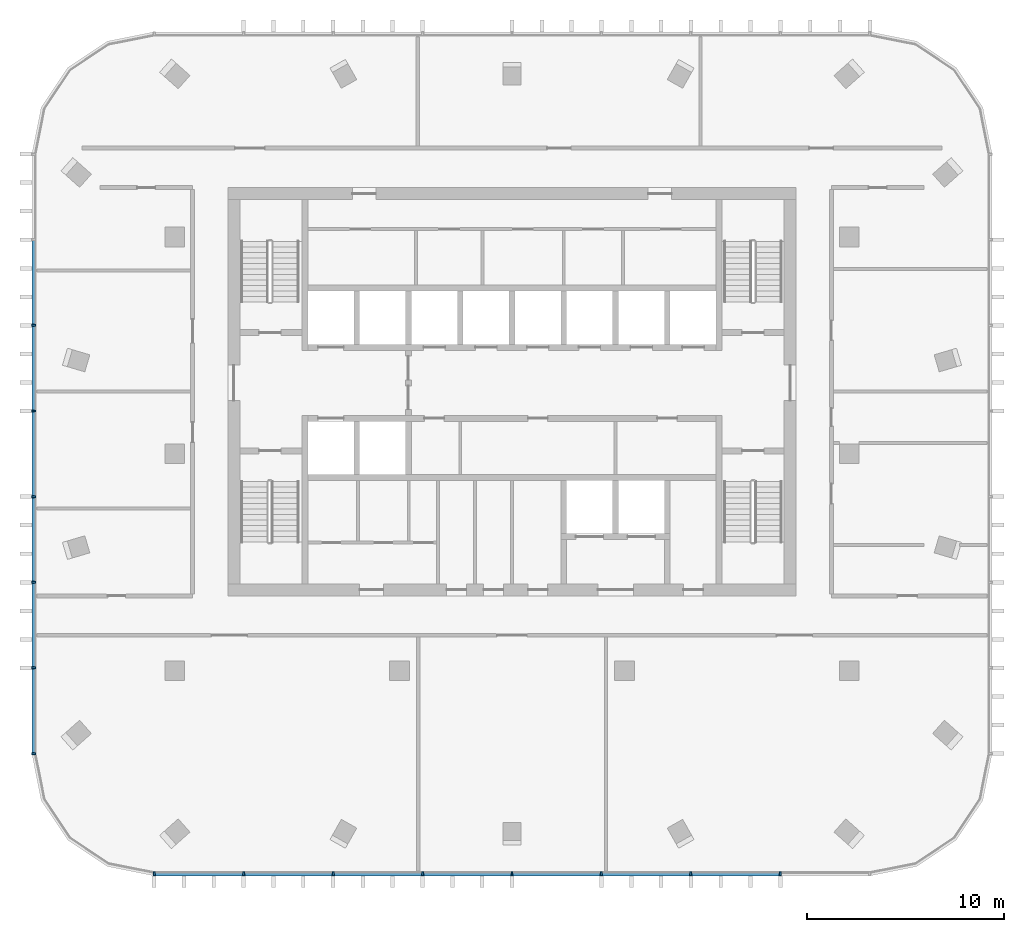
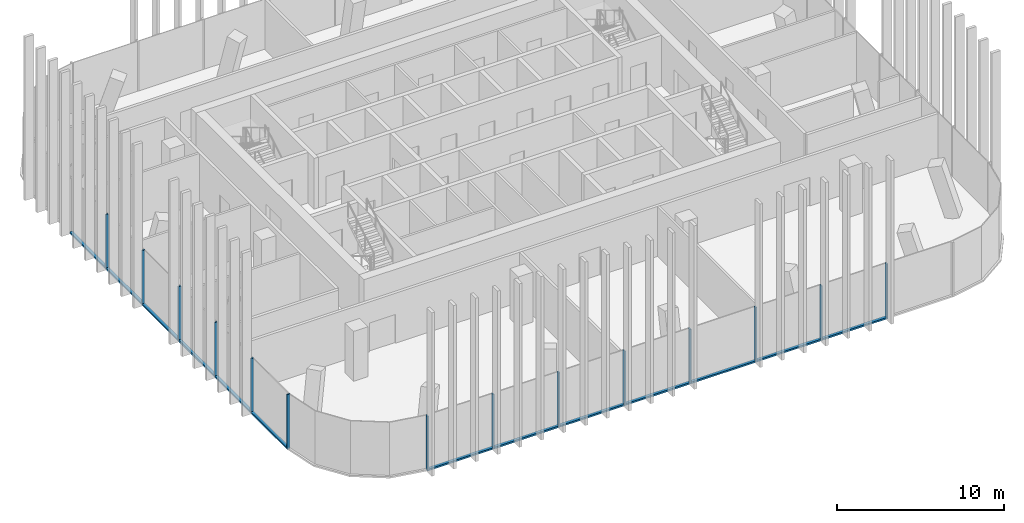
# One storey, part 2 of 13: 27 members, 2 elements without a shape of their own.
"""IFC4 building model written with IfcOpenShell, lengths in metres."""

from ifc_helpers import new_model, si_unit, direction, frame, origin, origin_2d, place, context, subcontext, project, spatial, rectangle, extrude, material, material_profile, profile_set, type_object, element, aggregate, save


model = new_model("IFC4")

# Units and contexts
model_context = context("Model", 3, precision=1e-05, world=origin(), true_north=direction((0.0, 1.0)))
body_context = subcontext(model_context, "Body", "Model", "MODEL_VIEW")
ifc_project = project(units=[si_unit("LENGTHUNIT", "METRE"), si_unit("AREAUNIT", "SQUARE_METRE"), si_unit("VOLUMEUNIT", "CUBIC_METRE"), si_unit("PLANEANGLEUNIT", "RADIAN"), si_unit("MASSUNIT", "GRAM", prefix="KILO")], contexts=[model_context])

# Site, building, storey
site_placement = place(None, origin())
site = spatial("IfcSite", under=ifc_project, at=site_placement, CompositionType="ELEMENT")
building_placement = place(site_placement, origin())
building = spatial("IfcBuilding", under=site, at=building_placement, Name="Mopane Tessera Tower", CompositionType="ELEMENT")
storey_placement = place(building_placement, frame((0.0, 0.0, 345.39990234375)))
storey = spatial("IfcBuildingStorey", under=building, at=storey_placement, Name="L75", CompositionType="ELEMENT", Elevation=345.39990234375)

# Curtain wall, members
ifc_material_1 = material(Name="Aluminium frame", Category="aluminium")
curtain_wall_type = type_object("IfcCurtainWallType", Name="Unitised curtain wall", PredefinedType="NOTDEFINED", material=ifc_material_1)
curtain_wall_1_placement = place(storey_placement, origin())
curtain_wall_1 = element("IfcCurtainWall", 1, at=curtain_wall_1_placement, inside=storey, type_object=curtain_wall_type, Name="e:cw:L75:S:0", PredefinedType="NOTDEFINED")
ifc_material_2 = material(Name="Aluminium frame", Category="aluminium")
ifc_material_profile_1 = material_profile(ifc_material_2, rectangle(XDim=0.10009765625, YDim=0.199951171875, at=origin_2d()))
ifc_profile_set_1 = profile_set([ifc_material_profile_1], Name="Aluminium frame")
member_type_1 = type_object("IfcMemberType", Name="Aluminium mullion 100 x 200", PredefinedType="MULLION", material=ifc_profile_set_1)
member_1_placement = place(storey_placement, frame((-18.14990234375, -21.300048828125, -0.349853515625), z_axis=(0.0, 0.0, 1.0), x_axis=(1.0, 0.0, 0.0)))
member_1 = element("IfcMember", 2, at=member_1_placement, type_object=member_type_1, Name="e:cw:L75:S:0:mu0", PredefinedType="MULLION", context=body_context, shape_type="SweptSolid", body=[
    extrude(rectangle(XDim=0.10009765625, YDim=0.199951171875, at=origin_2d()), origin(), (0.0, 0.0, 1.0), 4.0),
])
member_2_placement = place(storey_placement, frame((-13.612548828125, -21.300048828125, -0.349853515625), z_axis=(0.0, 0.0, 1.0), x_axis=(1.0, 0.0, 0.0)))
member_2 = element("IfcMember", 3, at=member_2_placement, type_object=member_type_1, Name="e:cw:L75:S:0:mu1", PredefinedType="MULLION", context=body_context, shape_type="SweptSolid", body=[
    extrude(rectangle(XDim=0.10009765625, YDim=0.199951171875, at=origin_2d()), origin(), (0.0, 0.0, 1.0), 4.0),
])
member_3_placement = place(storey_placement, frame((-9.074951171875, -21.300048828125, -0.349853515625), z_axis=(0.0, 0.0, 1.0), x_axis=(1.0, 0.0, 0.0)))
member_3 = element("IfcMember", 4, at=member_3_placement, type_object=member_type_1, Name="e:cw:L75:S:0:mu2", PredefinedType="MULLION", context=body_context, shape_type="SweptSolid", body=[
    extrude(rectangle(XDim=0.10009765625, YDim=0.199951171875, at=origin_2d()), origin(), (0.0, 0.0, 1.0), 4.0),
])
member_4_placement = place(storey_placement, frame((-4.53759765625, -21.300048828125, -0.349853515625), z_axis=(0.0, 0.0, 1.0), x_axis=(1.0, 0.0, 0.0)))
member_4 = element("IfcMember", 5, at=member_4_placement, type_object=member_type_1, Name="e:cw:L75:S:0:mu3", PredefinedType="MULLION", context=body_context, shape_type="SweptSolid", body=[
    extrude(rectangle(XDim=0.10009765625, YDim=0.199951171875, at=origin_2d()), origin(), (0.0, 0.0, 1.0), 4.0),
])
member_5_placement = place(storey_placement, frame((0.0, -21.300048828125, -0.349853515625), z_axis=(0.0, 0.0, 1.0), x_axis=(1.0, 0.0, 0.0)))
member_5 = element("IfcMember", 6, at=member_5_placement, type_object=member_type_1, Name="e:cw:L75:S:0:mu4", PredefinedType="MULLION", context=body_context, shape_type="SweptSolid", body=[
    extrude(rectangle(XDim=0.10009765625, YDim=0.199951171875, at=origin_2d()), origin(), (0.0, 0.0, 1.0), 4.0),
])
member_6_placement = place(storey_placement, frame((4.53759765625, -21.300048828125, -0.349853515625), z_axis=(0.0, 0.0, 1.0), x_axis=(1.0, 0.0, 0.0)))
member_6 = element("IfcMember", 7, at=member_6_placement, type_object=member_type_1, Name="e:cw:L75:S:0:mu5", PredefinedType="MULLION", context=body_context, shape_type="SweptSolid", body=[
    extrude(rectangle(XDim=0.10009765625, YDim=0.199951171875, at=origin_2d()), origin(), (0.0, 0.0, 1.0), 4.0),
])
member_7_placement = place(storey_placement, frame((9.074951171875, -21.300048828125, -0.349853515625), z_axis=(0.0, 0.0, 1.0), x_axis=(1.0, 0.0, 0.0)))
member_7 = element("IfcMember", 8, at=member_7_placement, type_object=member_type_1, Name="e:cw:L75:S:0:mu6", PredefinedType="MULLION", context=body_context, shape_type="SweptSolid", body=[
    extrude(rectangle(XDim=0.10009765625, YDim=0.199951171875, at=origin_2d()), origin(), (0.0, 0.0, 1.0), 4.0),
])
member_8_placement = place(storey_placement, frame((13.612548828125, -21.300048828125, -0.349853515625), z_axis=(0.0, 0.0, 1.0), x_axis=(1.0, 0.0, 0.0)))
member_8 = element("IfcMember", 9, at=member_8_placement, type_object=member_type_1, Name="e:cw:L75:S:0:mu7", PredefinedType="MULLION", context=body_context, shape_type="SweptSolid", body=[
    extrude(rectangle(XDim=0.10009765625, YDim=0.199951171875, at=origin_2d()), origin(), (0.0, 0.0, 1.0), 4.0),
])

curtain_wall_2_placement = place(storey_placement, origin())
curtain_wall_2 = element("IfcCurtainWall", 10, at=curtain_wall_2_placement, inside=storey, type_object=curtain_wall_type, Name="e:cw:L75:W:0", PredefinedType="NOTDEFINED")
member_9_placement = place(storey_placement, frame((-24.25, 6.514404296875, -0.349853515625), z_axis=(0.0, 0.0, 1.0), x_axis=(0.0, -1.0, 0.0)))
member_9 = element("IfcMember", 11, at=member_9_placement, type_object=member_type_1, Name="e:cw:L75:W:0:mu2", PredefinedType="MULLION", context=body_context, shape_type="SweptSolid", body=[
    extrude(rectangle(XDim=0.10009765625, YDim=0.199951171875, at=origin_2d()), origin(), (0.0, 0.0, 1.0), 4.0),
])
member_10_placement = place(storey_placement, frame((-24.25, 2.17138671875, -0.349853515625), z_axis=(0.0, 0.0, 1.0), x_axis=(0.0, -1.0, 0.0)))
member_10 = element("IfcMember", 12, at=member_10_placement, type_object=member_type_1, Name="e:cw:L75:W:0:mu3", PredefinedType="MULLION", context=body_context, shape_type="SweptSolid", body=[
    extrude(rectangle(XDim=0.10009765625, YDim=0.199951171875, at=origin_2d()), origin(), (0.0, 0.0, 1.0), 4.0),
])
member_11_placement = place(storey_placement, frame((-24.25, -2.17138671875, -0.349853515625), z_axis=(0.0, 0.0, 1.0), x_axis=(0.0, -1.0, 0.0)))
member_11 = element("IfcMember", 13, at=member_11_placement, type_object=member_type_1, Name="e:cw:L75:W:0:mu4", PredefinedType="MULLION", context=body_context, shape_type="SweptSolid", body=[
    extrude(rectangle(XDim=0.10009765625, YDim=0.199951171875, at=origin_2d()), origin(), (0.0, 0.0, 1.0), 4.0),
])
member_12_placement = place(storey_placement, frame((-24.25, -6.514404296875, -0.349853515625), z_axis=(0.0, 0.0, 1.0), x_axis=(0.0, -1.0, 0.0)))
member_12 = element("IfcMember", 14, at=member_12_placement, type_object=member_type_1, Name="e:cw:L75:W:0:mu5", PredefinedType="MULLION", context=body_context, shape_type="SweptSolid", body=[
    extrude(rectangle(XDim=0.10009765625, YDim=0.199951171875, at=origin_2d()), origin(), (0.0, 0.0, 1.0), 4.0),
])
member_13_placement = place(storey_placement, frame((-24.25, -10.857177734375, -0.349853515625), z_axis=(0.0, 0.0, 1.0), x_axis=(0.0, -1.0, 0.0)))
member_13 = element("IfcMember", 15, at=member_13_placement, type_object=member_type_1, Name="e:cw:L75:W:0:mu6", PredefinedType="MULLION", context=body_context, shape_type="SweptSolid", body=[
    extrude(rectangle(XDim=0.10009765625, YDim=0.199951171875, at=origin_2d()), origin(), (0.0, 0.0, 1.0), 4.0),
])
member_14_placement = place(storey_placement, frame((-24.25, -15.199951171875, -0.349853515625), z_axis=(0.0, 0.0, 1.0), x_axis=(0.0, -1.0, 0.0)))
member_14 = element("IfcMember", 16, at=member_14_placement, type_object=member_type_1, Name="e:cw:L75:W:0:mu7", PredefinedType="MULLION", context=body_context, shape_type="SweptSolid", body=[
    extrude(rectangle(XDim=0.10009765625, YDim=0.199951171875, at=origin_2d()), origin(), (0.0, 0.0, 1.0), 4.0),
])

# Member
ifc_material_3 = material(Name="Aluminium frame", Category="aluminium")
ifc_material_profile_2 = material_profile(ifc_material_3, rectangle(XDim=0.199951171875, YDim=0.1201171875, at=origin_2d()))
ifc_profile_set_2 = profile_set([ifc_material_profile_2], Name="Aluminium frame")
member_type_2 = type_object("IfcMemberType", Name="Aluminium transom 200 x 120", PredefinedType="USERDEFINED", material=ifc_profile_set_2)
member_15_placement = place(storey_placement, frame((-18.10009765625, -21.300048828125, -0.289794921875), z_axis=(1.0, 0.0, 0.0), x_axis=(0.0, 1.0, 0.0)))
member_15 = element("IfcMember", 17, at=member_15_placement, type_object=member_type_2, Name="e:cw:L75:S:0:tr0", ObjectType="TRANSOM", PredefinedType="USERDEFINED", context=body_context, shape_type="SweptSolid", body=[
    extrude(rectangle(XDim=0.199951171875, YDim=0.1201171875, at=origin_2d()), origin(), (0.0, 0.0, 1.0), 4.4375),
])

member_16_placement = place(storey_placement, frame((-13.5625, -21.300048828125, -0.289794921875), z_axis=(1.0, 0.0, 0.0), x_axis=(0.0, 1.0, 0.0)))
member_16 = element("IfcMember", 18, at=member_16_placement, type_object=member_type_2, Name="e:cw:L75:S:0:tr1", ObjectType="TRANSOM", PredefinedType="USERDEFINED", context=body_context, shape_type="SweptSolid", body=[
    extrude(rectangle(XDim=0.199951171875, YDim=0.1201171875, at=origin_2d()), origin(), (0.0, 0.0, 1.0), 4.4375),
])

member_17_placement = place(storey_placement, frame((-9.02490234375, -21.300048828125, -0.289794921875), z_axis=(1.0, 0.0, 0.0), x_axis=(0.0, 1.0, 0.0)))
member_17 = element("IfcMember", 19, at=member_17_placement, type_object=member_type_2, Name="e:cw:L75:S:0:tr2", ObjectType="TRANSOM", PredefinedType="USERDEFINED", context=body_context, shape_type="SweptSolid", body=[
    extrude(rectangle(XDim=0.199951171875, YDim=0.1201171875, at=origin_2d()), origin(), (0.0, 0.0, 1.0), 4.4375),
])

member_18_placement = place(storey_placement, frame((-4.487548828125, -21.300048828125, -0.289794921875), z_axis=(1.0, 0.0, 0.0), x_axis=(0.0, 1.0, 0.0)))
member_18 = element("IfcMember", 20, at=member_18_placement, type_object=member_type_2, Name="e:cw:L75:S:0:tr3", ObjectType="TRANSOM", PredefinedType="USERDEFINED", context=body_context, shape_type="SweptSolid", body=[
    extrude(rectangle(XDim=0.199951171875, YDim=0.1201171875, at=origin_2d()), origin(), (0.0, 0.0, 1.0), 4.4375),
])

member_19_placement = place(storey_placement, frame((0.050048828125, -21.300048828125, -0.289794921875), z_axis=(1.0, 0.0, 0.0), x_axis=(0.0, 1.0, 0.0)))
member_19 = element("IfcMember", 21, at=member_19_placement, type_object=member_type_2, Name="e:cw:L75:S:0:tr4", ObjectType="TRANSOM", PredefinedType="USERDEFINED", context=body_context, shape_type="SweptSolid", body=[
    extrude(rectangle(XDim=0.199951171875, YDim=0.1201171875, at=origin_2d()), origin(), (0.0, 0.0, 1.0), 4.4375),
])

member_20_placement = place(storey_placement, frame((4.58740234375, -21.300048828125, -0.289794921875), z_axis=(1.0, 0.0, 0.0), x_axis=(0.0, 1.0, 0.0)))
member_20 = element("IfcMember", 22, at=member_20_placement, type_object=member_type_2, Name="e:cw:L75:S:0:tr5", ObjectType="TRANSOM", PredefinedType="USERDEFINED", context=body_context, shape_type="SweptSolid", body=[
    extrude(rectangle(XDim=0.199951171875, YDim=0.1201171875, at=origin_2d()), origin(), (0.0, 0.0, 1.0), 4.4375),
])

member_21_placement = place(storey_placement, frame((9.125, -21.300048828125, -0.289794921875), z_axis=(1.0, 0.0, 0.0), x_axis=(0.0, 1.0, 0.0)))
member_21 = element("IfcMember", 23, at=member_21_placement, type_object=member_type_2, Name="e:cw:L75:S:0:tr6", ObjectType="TRANSOM", PredefinedType="USERDEFINED", context=body_context, shape_type="SweptSolid", body=[
    extrude(rectangle(XDim=0.199951171875, YDim=0.1201171875, at=origin_2d()), origin(), (0.0, 0.0, 1.0), 4.4375),
])

aggregate(curtain_wall_1, [member_1, member_2, member_3, member_4, member_5, member_6, member_7, member_8, member_15, member_16, member_17, member_18, member_19, member_20, member_21])

member_22_placement = place(storey_placement, frame((-24.25, 10.80712890625, -0.289794921875), z_axis=(0.0, -1.0, 0.0), x_axis=(1.0, 0.0, 0.0)))
member_22 = element("IfcMember", 24, at=member_22_placement, type_object=member_type_2, Name="e:cw:L75:W:0:tr1", ObjectType="TRANSOM", PredefinedType="USERDEFINED", context=body_context, shape_type="SweptSolid", body=[
    extrude(rectangle(XDim=0.199951171875, YDim=0.1201171875, at=origin_2d()), origin(), (0.0, 0.0, 1.0), 4.242919921875),
])

member_23_placement = place(storey_placement, frame((-24.25, 6.46435546875, -0.289794921875), z_axis=(0.0, -1.0, 0.0), x_axis=(1.0, 0.0, 0.0)))
member_23 = element("IfcMember", 25, at=member_23_placement, type_object=member_type_2, Name="e:cw:L75:W:0:tr2", ObjectType="TRANSOM", PredefinedType="USERDEFINED", context=body_context, shape_type="SweptSolid", body=[
    extrude(rectangle(XDim=0.199951171875, YDim=0.1201171875, at=origin_2d()), origin(), (0.0, 0.0, 1.0), 4.242919921875),
])

member_24_placement = place(storey_placement, frame((-24.25, 2.121337890625, -0.289794921875), z_axis=(0.0, -1.0, 0.0), x_axis=(1.0, 0.0, 0.0)))
member_24 = element("IfcMember", 26, at=member_24_placement, type_object=member_type_2, Name="e:cw:L75:W:0:tr3", ObjectType="TRANSOM", PredefinedType="USERDEFINED", context=body_context, shape_type="SweptSolid", body=[
    extrude(rectangle(XDim=0.199951171875, YDim=0.1201171875, at=origin_2d()), origin(), (0.0, 0.0, 1.0), 4.24267578125),
])

member_25_placement = place(storey_placement, frame((-24.25, -2.221435546875, -0.289794921875), z_axis=(0.0, -1.0, 0.0), x_axis=(1.0, 0.0, 0.0)))
member_25 = element("IfcMember", 27, at=member_25_placement, type_object=member_type_2, Name="e:cw:L75:W:0:tr4", ObjectType="TRANSOM", PredefinedType="USERDEFINED", context=body_context, shape_type="SweptSolid", body=[
    extrude(rectangle(XDim=0.199951171875, YDim=0.1201171875, at=origin_2d()), origin(), (0.0, 0.0, 1.0), 4.242919921875),
])

member_26_placement = place(storey_placement, frame((-24.25, -6.564208984375, -0.289794921875), z_axis=(0.0, -1.0, 0.0), x_axis=(1.0, 0.0, 0.0)))
member_26 = element("IfcMember", 28, at=member_26_placement, type_object=member_type_2, Name="e:cw:L75:W:0:tr5", ObjectType="TRANSOM", PredefinedType="USERDEFINED", context=body_context, shape_type="SweptSolid", body=[
    extrude(rectangle(XDim=0.199951171875, YDim=0.1201171875, at=origin_2d()), origin(), (0.0, 0.0, 1.0), 4.242919921875),
])

member_27_placement = place(storey_placement, frame((-24.25, -10.9072265625, -0.289794921875), z_axis=(0.0, -1.0, 0.0), x_axis=(1.0, 0.0, 0.0)))
member_27 = element("IfcMember", 29, at=member_27_placement, type_object=member_type_2, Name="e:cw:L75:W:0:tr6", ObjectType="TRANSOM", PredefinedType="USERDEFINED", context=body_context, shape_type="SweptSolid", body=[
    extrude(rectangle(XDim=0.199951171875, YDim=0.1201171875, at=origin_2d()), origin(), (0.0, 0.0, 1.0), 4.24267578125),
])

aggregate(curtain_wall_2, [member_9, member_10, member_11, member_12, member_13, member_14, member_22, member_23, member_24, member_25, member_26, member_27])

save(model, "model.ifc")
